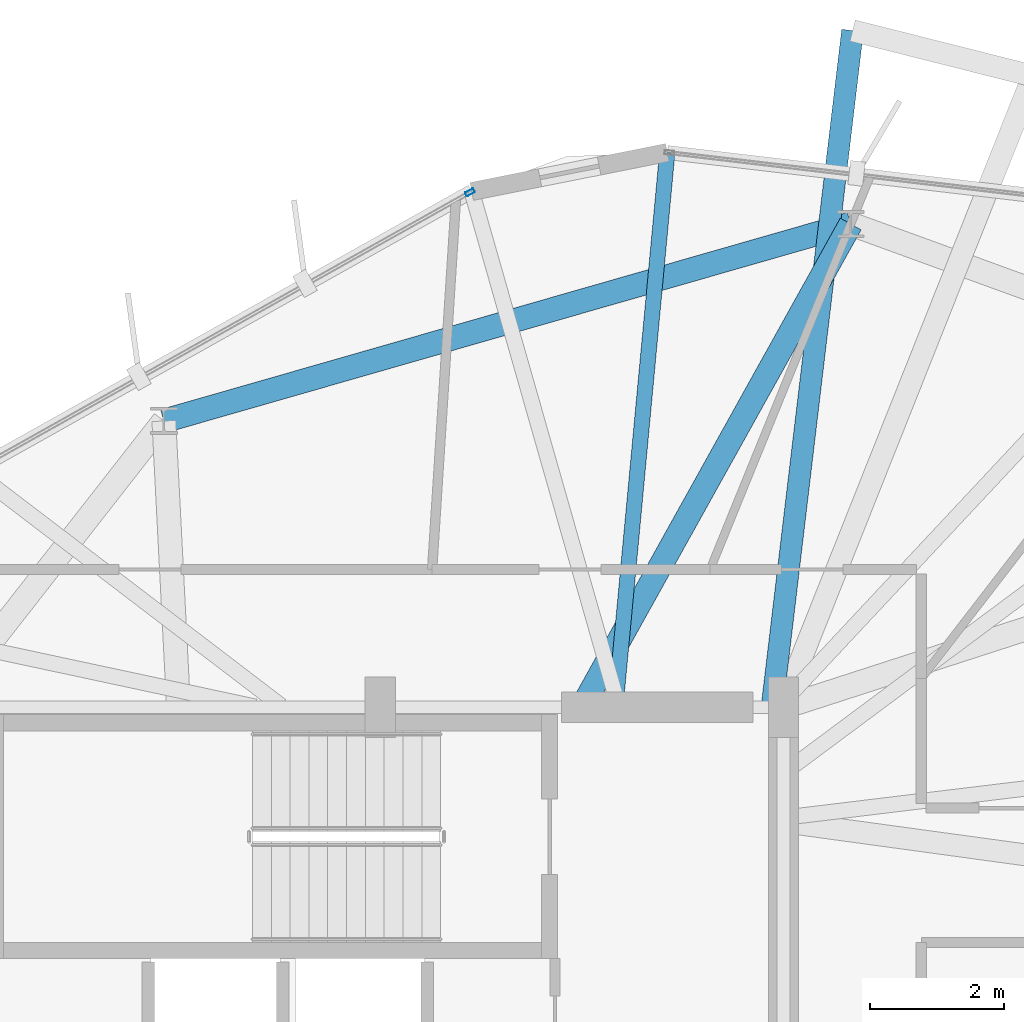
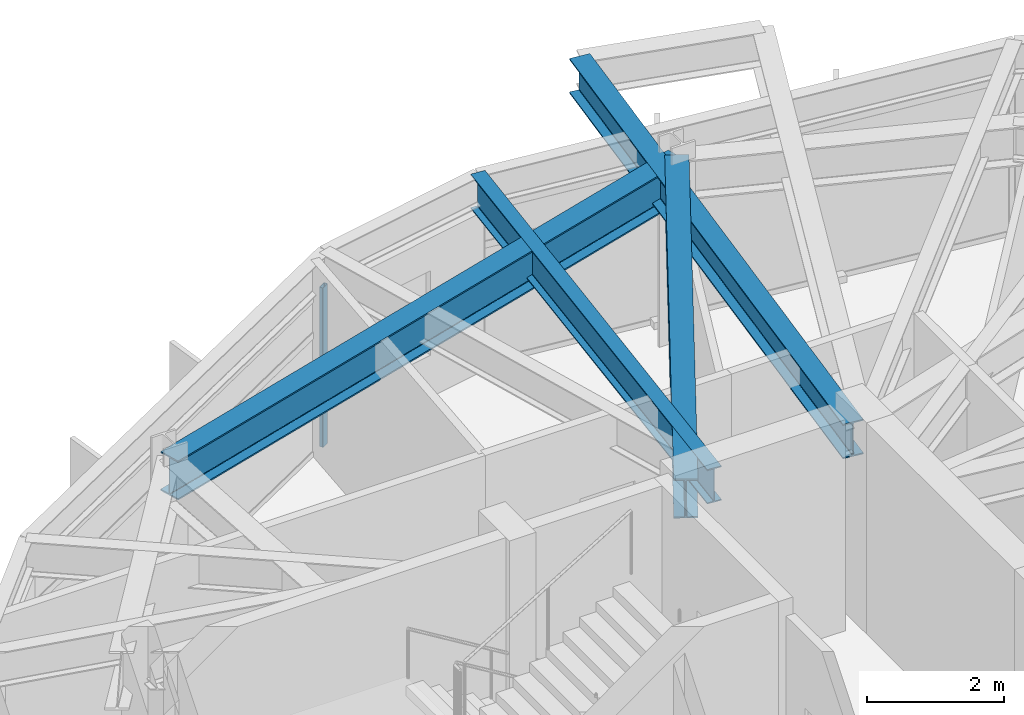
# One storey, part 15 of 25: 4 beams, 1 member, 1 element without a shape of its own.
"""IFC4 building model written with IfcOpenShell, lengths in metres."""

from ifc_helpers import new_model, si_unit, direction, frame, origin, origin_2d, place, context, subcontext, project, spatial, hollow_rectangle, i_section, extrude, material, layer, layer_set, material_profile, profile_set, type_object, element, aggregate, save


model = new_model("IFC4")

# Units and contexts
model_context = context("Model", 3, precision=1e-05, world=origin(), true_north=direction((0.0, 1.0)))
body_context = subcontext(model_context, "Body", "Model", "MODEL_VIEW")
ifc_project = project(units=[si_unit("LENGTHUNIT", "METRE"), si_unit("AREAUNIT", "SQUARE_METRE"), si_unit("VOLUMEUNIT", "CUBIC_METRE"), si_unit("PLANEANGLEUNIT", "RADIAN"), si_unit("MASSUNIT", "GRAM", prefix="KILO")], contexts=[model_context])

# Site, building, storey
site_placement = place(None, origin())
site = spatial("IfcSite", under=ifc_project, at=site_placement, CompositionType="ELEMENT")
building_placement = place(site_placement, origin())
building = spatial("IfcBuilding", under=site, at=building_placement, Name="Soratama Intermodal Tower", CompositionType="ELEMENT")
storey_placement = place(building_placement, frame((0.0, 0.0, 272.5)))
storey = spatial("IfcBuildingStorey", under=building, at=storey_placement, Name="L69", CompositionType="ELEMENT", Elevation=272.5)

# Beams
ifc_material_1 = material(Name="Structural steel ASTM A992 Grade 50", Category="steel")
ifc_material_profile_1 = material_profile(ifc_material_1, i_section(OverallWidth=0.324951171875, OverallDepth=0.615966796875, WebThickness=0.013916015625, FlangeThickness=0.021484375, FilletRadius=0.013916015625, at=origin_2d()), Name="W24X117")
ifc_profile_set_1 = profile_set([ifc_material_profile_1], Name="Structural steel ASTM A992 Grade 50")
beam_type_1 = type_object("IfcBeamType", Name="BM-CANT-W24X117", PredefinedType="BEAM", material=ifc_profile_set_1)
beam_1_placement = place(storey_placement, frame((44.43408203125, 35.0400390625, 3.14208984375), z_axis=(0.11822991836, 0.992986246836, 0.0), x_axis=(-0.992986246836, 0.11822991836, 0.0)))
element("IfcBeam", 1, at=beam_1_placement, inside=storey, type_object=beam_type_1, Name="BM-L69-CANT-2-2", PredefinedType="BEAM", context=body_context, shape_type="SweptSolid", body=[
    extrude(i_section(OverallWidth=0.324951171875, OverallDepth=0.615966796875, WebThickness=0.013916015625, FlangeThickness=0.021484375, FilletRadius=0.013916015625, at=origin_2d()), origin(), (0.0, 0.0, 1.0), 10.09765625),
])
ifc_material_2 = material(Name="Structural steel ASTM A992 Grade 50", Category="steel")
ifc_material_profile_2 = material_profile(ifc_material_2, i_section(OverallWidth=0.35498046875, OverallDepth=0.695068359375, WebThickness=0.015380859375, FlangeThickness=0.02490234375, FilletRadius=0.01611328125, at=origin_2d()), Name="W27X146")
ifc_profile_set_2 = profile_set([ifc_material_profile_2], Name="Structural steel ASTM A992 Grade 50")
beam_type_2 = type_object("IfcBeamType", Name="BM-RING-W27X146", PredefinedType="BEAM", material=ifc_profile_set_2)
beam_2_placement = place(storey_placement, frame((45.60009765625, 42.18994140625, 3.1025390625), z_axis=(-0.961238292127, -0.275718961532, 0.0), x_axis=(0.275718961532, -0.961238292127, 0.0)))
element("IfcBeam", 2, at=beam_2_placement, inside=storey, type_object=beam_type_2, Name="BM-L69-RING-03", PredefinedType="BEAM", context=body_context, shape_type="SweptSolid", body=[
    extrude(i_section(OverallWidth=0.35498046875, OverallDepth=0.695068359375, WebThickness=0.015380859375, FlangeThickness=0.02490234375, FilletRadius=0.01611328125, at=origin_2d()), origin(), (0.0, 0.0, 1.0), 10.630126953125),
])
beam_3_placement = place(storey_placement, frame((41.60009765625, 35.0, 3.1025390625), z_axis=(0.486161842523, 0.873868790423, 0.0), x_axis=(-0.873868790423, 0.486161842523, 0.0)))
element("IfcBeam", 3, at=beam_3_placement, inside=storey, type_object=beam_type_2, Name="BM-L69-RAD-03", PredefinedType="BEAM", context=body_context, shape_type="SweptSolid", body=[
    extrude(i_section(OverallWidth=0.35498046875, OverallDepth=0.695068359375, WebThickness=0.015380859375, FlangeThickness=0.02490234375, FilletRadius=0.01611328125, at=origin_2d()), origin(), (0.0, 0.0, 1.0), 8.227783203125),
])
ifc_material_3 = material(Name="Structural steel ASTM A992 Grade 50", Category="steel")
ifc_material_profile_3 = material_profile(ifc_material_3, i_section(OverallWidth=0.22900390625, OverallDepth=0.612060546875, WebThickness=0.011962890625, FlangeThickness=0.01953125, FilletRadius=0.012939453125, at=origin_2d()), Name="W24X84")
ifc_profile_set_3 = profile_set([ifc_material_profile_3], Name="Structural steel ASTM A992 Grade 50")
beam_type_3 = type_object("IfcBeamType", Name="BM-TIE-W24X84", PredefinedType="BEAM", material=ifc_profile_set_3)
beam_4_placement = place(storey_placement, frame((42.10205078125, 35.0400390625, 3.14404296875), z_axis=(0.093219698153, 0.995645563379, 0.0), x_axis=(-0.995645563379, 0.093219698153, 0.0)))
element("IfcBeam", 4, at=beam_4_placement, inside=storey, type_object=beam_type_3, Name="BM-L69-TIE1-01", PredefinedType="BEAM", context=body_context, shape_type="SweptSolid", body=[
    extrude(i_section(OverallWidth=0.22900390625, OverallDepth=0.612060546875, WebThickness=0.011962890625, FlangeThickness=0.01953125, FilletRadius=0.012939453125, at=origin_2d()), origin(), (0.0, 0.0, 1.0), 8.249755859375),
])

# Curtain wall, member
ifc_material_4 = material(Name="Double-glazed aluminium curtain wall", Category="aluminium")
ifc_layer = layer(ifc_material_4, 0.159912109375)
ifc_layer_set = layer_set([ifc_layer], Name="Double-glazed aluminium curtain wall")
curtain_wall_type = type_object("IfcCurtainWallType", Name="CW-SYS-5", PredefinedType="NOTDEFINED", material=ifc_layer_set)
curtain_wall_placement = place(storey_placement, origin())
curtain_wall = element("IfcCurtainWall", 5, at=curtain_wall_placement, inside=storey, type_object=curtain_wall_type, Name="L69 Faceted Curtain Wall F02", PredefinedType="NOTDEFINED")
ifc_material_5 = material(Name="Anodised aluminium AA 6063-T6", Category="aluminium")
ifc_material_profile_4 = material_profile(ifc_material_5, hollow_rectangle(XDim=0.06494140625, YDim=0.139892578125, WallThickness=0.0048828125, InnerFilletRadius=0.0048828125, OuterFilletRadius=0.010009765625, at=origin_2d()), Name="CWM140X65X5")
ifc_profile_set_4 = profile_set([ifc_material_profile_4], Name="Anodised aluminium AA 6063-T6")
member_type = type_object("IfcMemberType", Name="MT-CWM-5", PredefinedType="MULLION", material=ifc_profile_set_4)
member_placement = place(storey_placement, frame((39.93603515625, 42.659423828125, 0.0), z_axis=(0.0, 0.0, 1.0), x_axis=(0.489079409958, -0.872239262333, 0.0)))
member = element("IfcMember", 6, at=member_placement, type_object=member_type, Name="CW-5 mullion 1", PredefinedType="MULLION", context=body_context, shape_type="SweptSolid", body=[
    extrude(hollow_rectangle(XDim=0.06494140625, YDim=0.139892578125, WallThickness=0.0048828125, InnerFilletRadius=0.0048828125, OuterFilletRadius=0.010009765625, at=origin_2d()), origin(), (0.0, 0.0, 1.0), 2.8291015625),
])
aggregate(curtain_wall, [member])

save(model, "model.ifc")
